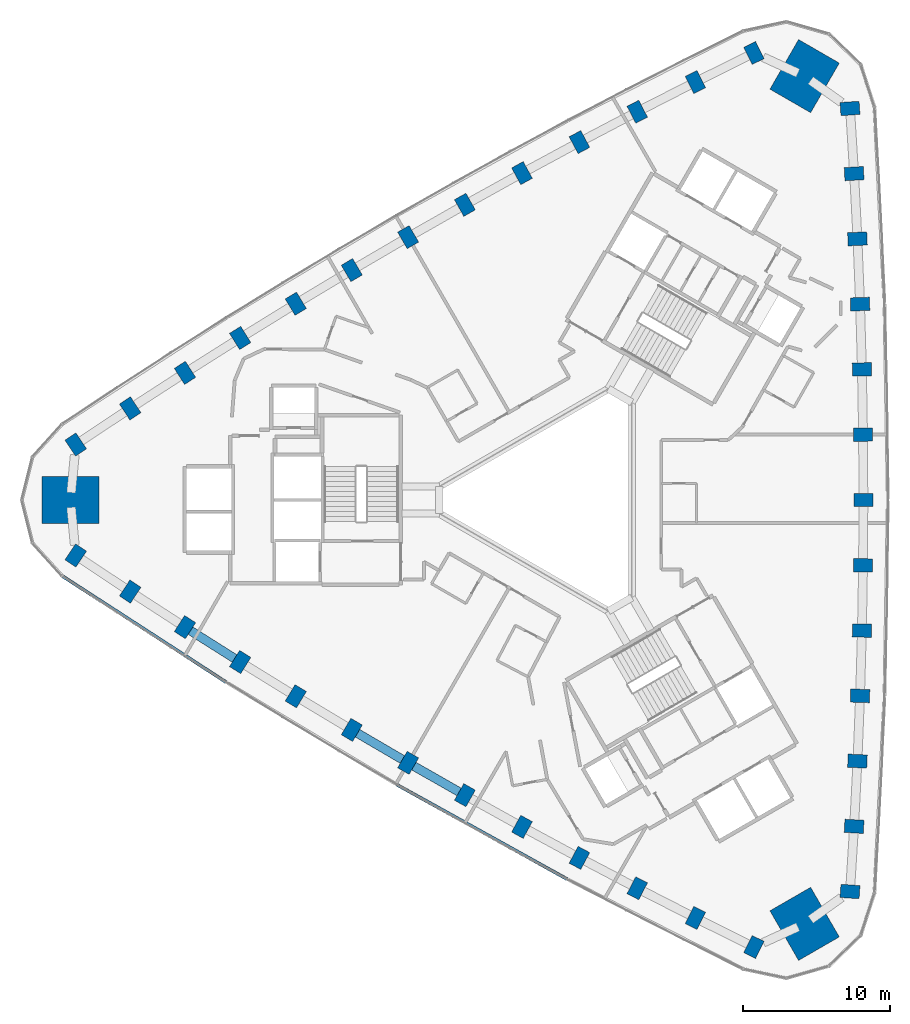
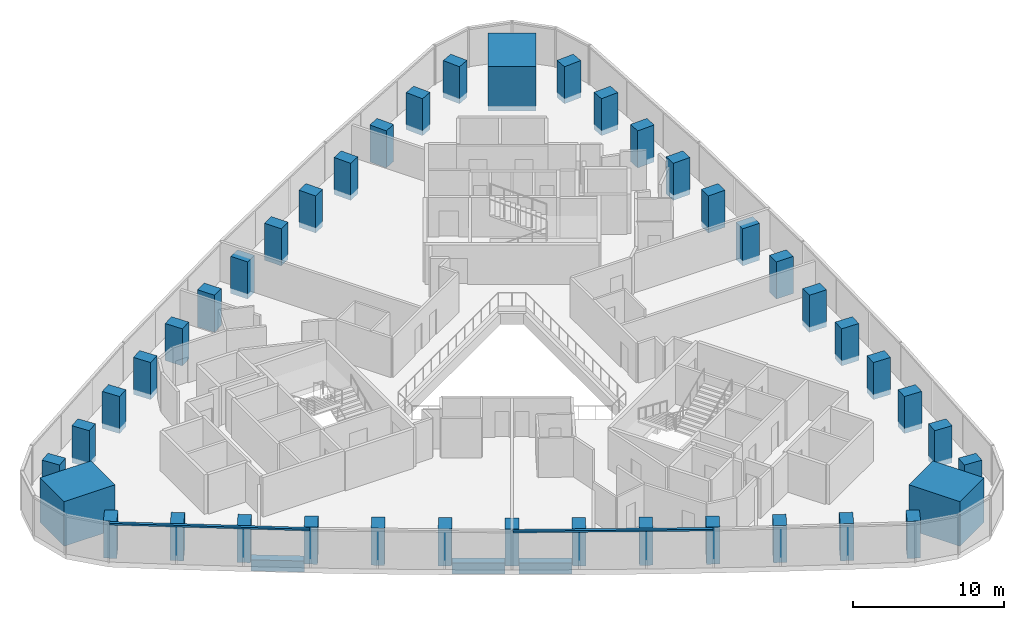
# One storey, part 1 of 12: 42 columns, 3 beams, 2 members, 1 element without a shape of its own.
"""IFC4 building model written with IfcOpenShell, lengths in metres."""

from ifc_helpers import new_model, si_unit, direction, frame, origin, origin_2d, place, context, subcontext, project, spatial, rectangle, extrude, material, material_profile, profile_set, type_object, element, aggregate, save


model = new_model("IFC4")

# Units and contexts
model_context = context("Model", 3, precision=1e-05, world=origin(), true_north=direction((0.0, 1.0)))
body_context = subcontext(model_context, "Body", "Model", "MODEL_VIEW")
ifc_project = project(units=[si_unit("LENGTHUNIT", "METRE"), si_unit("AREAUNIT", "SQUARE_METRE"), si_unit("VOLUMEUNIT", "CUBIC_METRE"), si_unit("PLANEANGLEUNIT", "RADIAN"), si_unit("MASSUNIT", "GRAM", prefix="KILO")], contexts=[model_context])

# Site, building, storey
site_placement = place(None, origin())
site = spatial("IfcSite", under=ifc_project, at=site_placement, CompositionType="ELEMENT")
building_placement = place(site_placement, origin())
building = spatial("IfcBuilding", under=site, at=building_placement, Name="Tamra Quay Hotel Tower", CompositionType="ELEMENT")
storey_placement = place(building_placement, frame((0.0, 0.0, 115.39990234375)))
storey = spatial("IfcBuildingStorey", under=building, at=storey_placement, Name="L28", CompositionType="ELEMENT", Elevation=115.39990234375)

# Columns
ifc_material_1 = material(Name="Concrete M70", Category="concrete")
ifc_material_profile_1 = material_profile(ifc_material_1, rectangle(XDim=1.300048828125, YDim=0.89990234375, at=origin_2d()), Name="COLUMN RC 900x1300 Z2")
ifc_profile_set_1 = profile_set([ifc_material_profile_1], Name="Concrete M70")
column_type_1 = type_object("IfcColumnType", Name="COLUMN RC 900x1300 Z2", PredefinedType="COLUMN", material=ifc_profile_set_1)
for number, where, z_axis, x_axis, name in (
    (1, (19.746337890625, -26.648681640625, -0.4248046875), (0.0, 0.0, 1.0), (-0.997682497858, 0.068041409955, 0.0), "COL-C2E01-L28"),
    (2, (20.02490234375, -22.212158203125, -0.4248046875), (0.0, 0.0, 1.0), (-0.998368034899, 0.057107502941, 0.0), "COL-C2E02-L28"),
    (3, (20.2529296875, -17.773193359375, -0.4248046875), (0.0, 0.0, 1.0), (-0.99895467426, 0.04571169187, 0.0), "COL-C2E03-L28"),
    (4, (20.430419921875, -13.331787109375, -0.4248046875), (0.0, 0.0, 1.0), (-0.999411600314, 0.034299462929, 0.0), "COL-C2E04-L28"),
    (5, (20.557373046875, -8.888916015625, -0.4248046875), (0.0, 0.0, 1.0), (-0.999738355025, 0.022874035338, 0.0), "COL-C2E05-L28"),
    (6, (20.633544921875, -4.44482421875, -0.4248046875), (0.0, 0.0, 1.0), (-0.999934576635, 0.01143863846, 0.0), "COL-C2E06-L28"),
    (7, (20.658935546875, 0.0, -0.4248046875), (0.0, 0.0, 1.0), (1.0, 0.0, 0.0), "COL-C2E07-L28"),
    (8, (20.633544921875, 4.44482421875, -0.4248046875), (0.0, 0.0, 1.0), (0.999934576635, 0.01143863846, 0.0), "COL-C2E08-L28"),
    (9, (20.557373046875, 8.888916015625, -0.4248046875), (0.0, 0.0, 1.0), (0.999738355025, 0.022874035338, 0.0), "COL-C2E09-L28"),
    (10, (20.430419921875, 13.331787109375, -0.4248046875), (0.0, 0.0, 1.0), (0.999411600314, 0.034299462929, 0.0), "COL-C2E10-L28"),
    (11, (20.2529296875, 17.773193359375, -0.4248046875), (0.0, 0.0, 1.0), (0.99895467426, 0.04571169187, 0.0), "COL-C2E11-L28"),
    (12, (20.02490234375, 22.212158203125, -0.4248046875), (0.0, 0.0, 1.0), (0.998368034899, 0.057107502941, 0.0), "COL-C2E12-L28"),
    (13, (19.746337890625, 26.648681640625, -0.4248046875), (0.0, 0.0, 1.0), (0.997682497858, 0.068041409955, 0.0), "COL-C2E13-L28"),
    (14, (13.205078125, 30.425048828125, -0.4248046875), (0.0, 0.0, 1.0), (-0.439915659398, 0.898039093033, 0.0), "COL-C2NW01-L28"),
    (15, (9.223876953125, 28.4482421875, -0.4248046875), (0.0, 0.0, 1.0), (-0.449727469156, 0.893165832019, 0.0), "COL-C2NW02-L28"),
    (16, (5.265625, 26.42626953125, -0.4248046875), (0.0, 0.0, 1.0), (-0.459889850721, 0.887975971074, 0.0), "COL-C2NW03-L28"),
    (17, (1.33056640625, 24.359375, -0.4248046875), (0.0, 0.0, 1.0), (-0.470001593924, 0.882665566174, 0.0), "COL-C2NW04-L28"),
    (18, (-2.580810546875, 22.247802734375, -0.4248046875), (0.0, 0.0, 1.0), (-0.480059681822, 0.877235830258, 0.0), "COL-C2NW05-L28"),
    (19, (-6.467529296875, 20.091552734375, -0.4248046875), (0.0, 0.0, 1.0), (-0.490061136827, 0.871688064718, 0.0), "COL-C2NW06-L28"),
    (20, (-10.32958984375, 17.89111328125, -0.4248046875), (0.0, 0.0, 1.0), (-0.5, 0.866025403784, 0.0), "COL-C2NW07-L28"),
    (21, (-14.166015625, 15.646728515625, -0.4248046875), (0.0, 0.0, 1.0), (-0.509873439808, 0.860249426259, 0.0), "COL-C2NW08-L28"),
    (22, (-17.976806640625, 13.35888671875, -0.4248046875), (0.0, 0.0, 1.0), (-0.519678673202, 0.85436179492, 0.0), "COL-C2NW09-L28"),
    (23, (-21.760986328125, 11.02734375, -0.4248046875), (0.0, 0.0, 1.0), (-0.52941000639, 0.848366103245, 0.0), "COL-C2NW10-L28"),
    (24, (-25.5185546875, 8.653076171875, -0.4248046875), (0.0, 0.0, 1.0), (-0.539064823539, 0.842264279204, 0.0), "COL-C2NW11-L28"),
    (25, (-29.248779296875, 6.23583984375, -0.4248046875), (0.0, 0.0, 1.0), (-0.548640565743, 0.836058329078, 0.0), "COL-C2NW12-L28"),
    (26, (-32.951416015625, 3.776611328125, -0.4248046875), (0.0, 0.0, 1.0), (-0.557766838459, 0.829997683078, 0.0), "COL-C2NW13-L28"),
    (27, (-32.951416015625, -3.776611328125, -0.4248046875), (0.0, 0.0, 1.0), (0.557766838459, 0.829997683078, 0.0), "COL-C2SW01-L28"),
    (28, (-29.248779296875, -6.23583984375, -0.4248046875), (0.0, 0.0, 1.0), (0.548640565743, 0.836058329078, 0.0), "COL-C2SW02-L28"),
    (29, (-25.5185546875, -8.653076171875, -0.4248046875), (0.0, 0.0, 1.0), (0.539064823539, 0.842264279204, 0.0), "COL-C2SW03-L28"),
    (30, (-21.760986328125, -11.02734375, -0.4248046875), (0.0, 0.0, 1.0), (0.52941000639, 0.848366103245, 0.0), "COL-C2SW04-L28"),
    (31, (-17.976806640625, -13.35888671875, -0.4248046875), (0.0, 0.0, 1.0), (0.519678673202, 0.85436179492, 0.0), "COL-C2SW05-L28"),
    (32, (-14.166015625, -15.646728515625, -0.4248046875), (0.0, 0.0, 1.0), (0.509873439808, 0.860249426259, 0.0), "COL-C2SW06-L28"),
    (33, (-10.32958984375, -17.89111328125, -0.4248046875), (0.0, 0.0, 1.0), (0.5, 0.866025403784, 0.0), "COL-C2SW07-L28"),
    (34, (-6.467529296875, -20.091552734375, -0.4248046875), (0.0, 0.0, 1.0), (0.490061136827, 0.871688064718, 0.0), "COL-C2SW08-L28"),
    (35, (-2.580810546875, -22.247802734375, -0.4248046875), (0.0, 0.0, 1.0), (0.480059681822, 0.877235830258, 0.0), "COL-C2SW09-L28"),
    (36, (1.33056640625, -24.359375, -0.4248046875), (0.0, 0.0, 1.0), (0.470001593924, 0.882665566174, 0.0), "COL-C2SW10-L28"),
    (37, (5.265625, -26.42626953125, -0.4248046875), (0.0, 0.0, 1.0), (0.459889850721, 0.887975971074, 0.0), "COL-C2SW11-L28"),
    (38, (9.223876953125, -28.4482421875, -0.4248046875), (0.0, 0.0, 1.0), (0.449727469156, 0.893165832019, 0.0), "COL-C2SW12-L28"),
    (39, (13.205078125, -30.425048828125, -0.4248046875), (0.0, 0.0, 1.0), (0.439915659398, 0.898039093033, 0.0), "COL-C2SW13-L28"),
):
    element("IfcColumn", number, at=place(storey_placement, frame(where, z_axis=z_axis, x_axis=x_axis)), inside=storey, type_object=column_type_1, Name=name, PredefinedType="COLUMN", context=body_context, shape_type="SweptSolid", body=[
        extrude(rectangle(XDim=1.300048828125, YDim=0.89990234375, at=origin_2d()), origin(), (0.0, 0.0, 1.0), 3.0048828125),
    ])
ifc_material_profile_2 = material_profile(ifc_material_1, rectangle(XDim=3.89990234375, YDim=3.199951171875, at=origin_2d()), Name="MEGA COLUMN RC 3200x3900 Z2")
ifc_profile_set_2 = profile_set([ifc_material_profile_2], Name="Concrete M70")
column_type_2 = type_object("IfcColumnType", Name="MEGA COLUMN RC 3200x3900 Z2", PredefinedType="COLUMN", material=ifc_profile_set_2)
for number, where, z_axis, x_axis, name in (
    (40, (16.65673828125, 28.8505859375, -0.4248046875), (0.0, 0.0, 1.0), (0.5, 0.866025403784, 0.0), "COL-M2NE-L28"),
    (41, (-33.313720703125, 0.0, -0.4248046875), (0.0, 0.0, 1.0), (1.0, 0.0, 0.0), "COL-M2W-L28"),
    (42, (16.65673828125, -28.8505859375, -0.4248046875), (0.0, 0.0, 1.0), (-0.5, 0.866025403784, 0.0), "COL-M2SE-L28"),
):
    element("IfcColumn", number, at=place(storey_placement, frame(where, z_axis=z_axis, x_axis=x_axis)), inside=storey, type_object=column_type_2, Name=name, PredefinedType="COLUMN", context=body_context, shape_type="SweptSolid", body=[
        extrude(rectangle(XDim=3.89990234375, YDim=3.199951171875, at=origin_2d()), origin(), (0.0, 0.0, 1.0), 3.625),
    ])

# Beams
ifc_material_2 = material(Name="Concrete M60", Category="concrete")
ifc_material_profile_3 = material_profile(ifc_material_2, rectangle(XDim=0.60009765625, YDim=0.89990234375, at=origin_2d()), Name="SPANDREL BEAM RC 600x900")
ifc_profile_set_3 = profile_set([ifc_material_profile_3], Name="Concrete M60")
beam_type = type_object("IfcBeamType", Name="SPANDREL BEAM RC 600x900", PredefinedType="SPANDREL", material=ifc_profile_set_3)
beam_1_placement = place(storey_placement, frame((-25.13818359375, -8.893310546875, -0.875), z_axis=(0.845333394052, -0.534239134566, 0.0), x_axis=(0.534239134566, 0.845333394052, 0.0)))
element("IfcBeam", 43, at=beam_1_placement, inside=storey, type_object=beam_type, Name="BM-SP2-030-L28", PredefinedType="SPANDREL", context=body_context, shape_type="SweptSolid", body=[
    extrude(rectangle(XDim=0.60009765625, YDim=0.89990234375, at=origin_2d()), origin(), (0.0, 0.0, 1.0), 3.544921875),
])
beam_2_placement = place(storey_placement, frame((-13.777587890625, -15.8740234375, -0.875), z_axis=(0.863128698129, -0.504984010109, 0.0), x_axis=(0.504984010109, 0.863128698129, 0.0)))
element("IfcBeam", 44, at=beam_2_placement, inside=storey, type_object=beam_type, Name="BM-SP2-033-L28", PredefinedType="SPANDREL", context=body_context, shape_type="SweptSolid", body=[
    extrude(rectangle(XDim=0.60009765625, YDim=0.89990234375, at=origin_2d()), origin(), (0.0, 0.0, 1.0), 3.544677734375),
])
beam_3_placement = place(storey_placement, frame((-9.9384765625, -18.114013671875, -0.875), z_axis=(0.868869699181, -0.495040852704, 0.0), x_axis=(0.495040852704, 0.868869699181, 0.0)))
element("IfcBeam", 45, at=beam_3_placement, inside=storey, type_object=beam_type, Name="BM-SP2-034-L28", PredefinedType="SPANDREL", context=body_context, shape_type="SweptSolid", body=[
    extrude(rectangle(XDim=0.60009765625, YDim=0.89990234375, at=origin_2d()), origin(), (0.0, 0.0, 1.0), 3.544921875),
])

# Curtain wall, members
ifc_material_3 = material(Name="Aluminium 6063 anodised dark grey", Category="aluminium")
curtain_wall_type = type_object("IfcCurtainWallType", Name="CW3 CURTAIN WALL", PredefinedType="NOTDEFINED", material=ifc_material_3)
curtain_wall_placement = place(storey_placement, origin())
curtain_wall = element("IfcCurtainWall", 46, at=curtain_wall_placement, inside=storey, type_object=curtain_wall_type, Name="CW3 south-west face L28", PredefinedType="NOTDEFINED")
ifc_material_profile_4 = material_profile(ifc_material_3, rectangle(XDim=0.219970703125, YDim=0.139892578125, at=origin_2d()), Name="TRANSOM 220X140")
ifc_profile_set_4 = profile_set([ifc_material_profile_4], Name="Aluminium 6063 anodised dark grey")
member_type = type_object("IfcMemberType", Name="TRANSOM CW3 Z2", PredefinedType="USERDEFINED", material=ifc_profile_set_4)
member_1_placement = place(storey_placement, frame((-33.843505859375, -5.193603515625, 3.130126953125), z_axis=(0.839227967527, -0.543779751849, 0.0), x_axis=(0.543779751849, 0.839227967527, 0.0)))
member_1 = element("IfcMember", 47, at=member_1_placement, type_object=member_type, Name="CW3 transom L28.SW.1", ObjectType="TRANSOM", PredefinedType="USERDEFINED", context=body_context, shape_type="SweptSolid", body=[
    extrude(rectangle(XDim=0.219970703125, YDim=0.139892578125, at=origin_2d()), origin(), (0.0, 0.0, 1.0), 13.290771484375),
])
member_2_placement = place(storey_placement, frame((-11.123046875, -19.36572265625, 3.130126953125), z_axis=(0.874463819192, -0.48509074298, 0.0), x_axis=(0.48509074298, 0.874463819192, 0.0)))
member_2 = element("IfcMember", 48, at=member_2_placement, type_object=member_type, Name="CW3 transom L28.SW.7", ObjectType="TRANSOM", PredefinedType="USERDEFINED", context=body_context, shape_type="SweptSolid", body=[
    extrude(rectangle(XDim=0.219970703125, YDim=0.139892578125, at=origin_2d()), origin(), (0.0, 0.0, 1.0), 13.291259765625),
])
aggregate(curtain_wall, [member_1, member_2])

save(model, "model.ifc")
